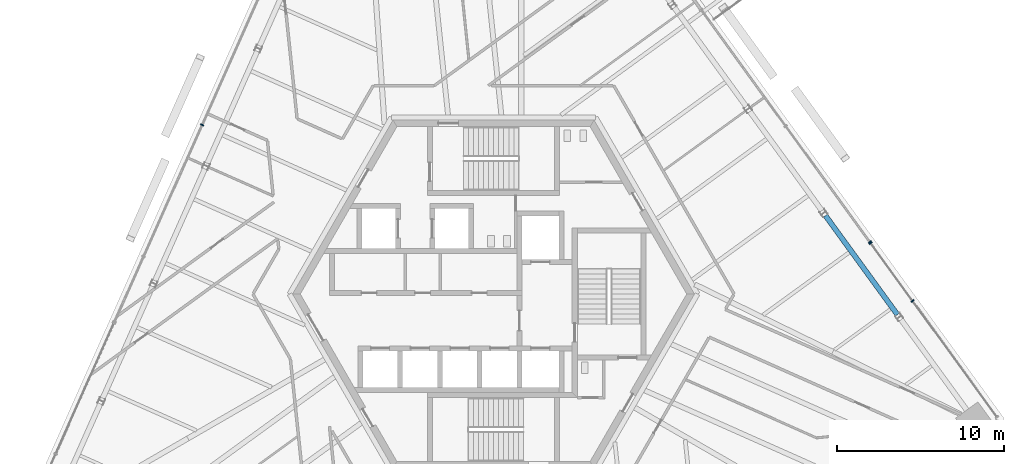
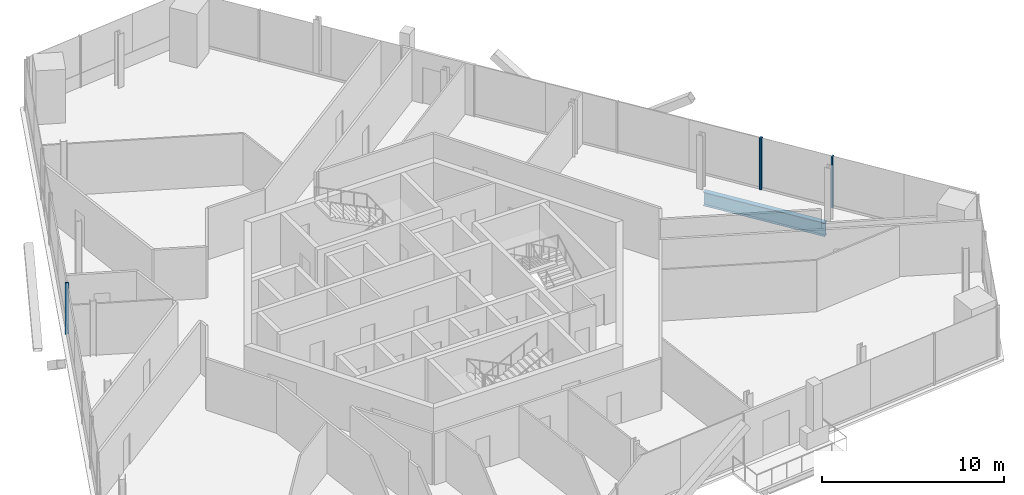
# One storey, part 7 of 18: 4 members, 1 beam, 3 elements without a shape of their own.
"""IFC4 building model written with IfcOpenShell, lengths in metres."""

from ifc_helpers import new_model, si_unit, direction, frame, origin, origin_2d, place, context, subcontext, project, spatial, rectangle, i_section, extrude, source, transform, mapped, material, material_profile, profile_set, type_object, element, aggregate, save


model = new_model("IFC4")

# Units and contexts
model_context = context("Model", 3, precision=1e-05, world=origin(), true_north=direction((0.0, 1.0)))
body_context = subcontext(model_context, "Body", "Model", "MODEL_VIEW")
ifc_project = project(units=[si_unit("LENGTHUNIT", "METRE"), si_unit("AREAUNIT", "SQUARE_METRE"), si_unit("VOLUMEUNIT", "CUBIC_METRE"), si_unit("PLANEANGLEUNIT", "RADIAN"), si_unit("MASSUNIT", "GRAM", prefix="KILO")], contexts=[model_context])

# Site, building, storey
site_placement = place(None, origin())
site = spatial("IfcSite", under=ifc_project, at=site_placement, CompositionType="ELEMENT")
building_placement = place(site_placement, origin())
building = spatial("IfcBuilding", under=site, at=building_placement, Name="Triune Harvest Tower", CompositionType="ELEMENT")
storey_placement = place(building_placement, frame((0.0, 0.0, 237.699951171875)))
storey = spatial("IfcBuildingStorey", under=building, at=storey_placement, Name="L62", CompositionType="ELEMENT", Elevation=237.699951171875)

# Beam
ifc_material_1 = material(Name="Steel ASTM A992 Gr 50", Category="steel")
ifc_material_profile_1 = material_profile(ifc_material_1, i_section(OverallWidth=0.3046875, OverallDepth=0.914306640625, WebThickness=0.0166015625, FlangeThickness=0.02587890625, at=origin_2d()), Name="W36x160")
ifc_profile_set_1 = profile_set([ifc_material_profile_1], Name="Steel ASTM A992 Gr 50")
beam_type = type_object("IfcBeamType", Name="SB-1 Spandrel beam W36x160", PredefinedType="SPANDREL", material=ifc_profile_set_1)
shared_shape_1 = source(origin(), body_context, "Body", "SweptSolid", [
    extrude(i_section(OverallWidth=0.3046875, OverallDepth=0.914306640625, WebThickness=0.0166015625, FlangeThickness=0.02587890625, at=origin_2d()), origin(), (0.0, 0.0, 1.0), 7.31103515625),
])
beam_placement = place(storey_placement, frame((24.119384765625, -1.2333984375, -0.6171875), z_axis=(-0.587786436325, 0.809016134124, 0.0), x_axis=(-0.809016134124, -0.587786436325, 0.0)))
element("IfcBeam", 1, at=beam_placement, inside=storey, type_object=beam_type, Name="beam/L62/SB2", PredefinedType="SPANDREL", context=body_context, shape_type="MappedRepresentation", body=[
    mapped(shared_shape_1, transform((0.0, 0.0, 0.0), scale=1.0)),
])

# Curtain wall, member
ifc_material_2 = material(Name="Aluminium bronze anodised", Category="aluminium")
curtain_wall_type_1 = type_object("IfcCurtainWallType", Name="CW-7 Tower stick curtain wall with insulated spandrel infill", PredefinedType="NOTDEFINED", material=ifc_material_2)
curtain_wall_1_placement = place(storey_placement, origin())
curtain_wall_1 = element("IfcCurtainWall", 2, at=curtain_wall_1_placement, inside=storey, type_object=curtain_wall_type_1, Name="CW-7 B6-F3 L62 run 1001")
ifc_material_3 = material(Name="Aluminium bronze anodised", Category="aluminium")
ifc_material_profile_2 = material_profile(ifc_material_3, rectangle(XDim=0.199951171875, YDim=0.074951171875, at=origin_2d()), Name="MU-1 mullion 75 x 200")
ifc_profile_set_2 = profile_set([ifc_material_profile_2], Name="Aluminium bronze anodised")
member_type_1 = type_object("IfcMemberType", Name="MU-1 mullion 75 x 200", PredefinedType="MULLION", material=ifc_profile_set_2)
shared_shape_2 = source(origin(), body_context, "Body", "SweptSolid", [
    extrude(rectangle(XDim=0.199951171875, YDim=0.074951171875, at=origin_2d()), origin(), (0.0, 0.0, 1.0), 3.43994140625),
])
member_1_placement = place(storey_placement, frame((-17.399658203125, 10.100341796875, 0.0), z_axis=(0.0, 0.0, 1.0), x_axis=(0.913543213981, -0.406741682385, 0.0)))
member_1 = element("IfcMember", 3, at=member_1_placement, type_object=member_type_1, Name="CW-7 mullion B6-F3 1001.3", PredefinedType="MULLION", context=body_context, shape_type="MappedRepresentation", body=[
    mapped(shared_shape_2, transform((0.0, 0.0, 0.0), scale=1.0)),
])
aggregate(curtain_wall_1, [member_1])

# Curtain wall, members
ifc_material_4 = material(Name="Aluminium bronze anodised", Category="aluminium")
curtain_wall_type_2 = type_object("IfcCurtainWallType", Name="CW-6 Balcony window wall", PredefinedType="NOTDEFINED", material=ifc_material_4)
curtain_wall_2_placement = place(storey_placement, origin())
curtain_wall_2 = element("IfcCurtainWall", 4, at=curtain_wall_2_placement, inside=storey, type_object=curtain_wall_type_2, Name="CW-6 B6-F1 L62 run 1")
ifc_material_5 = material(Name="Aluminium bronze anodised", Category="aluminium")
ifc_material_profile_3 = material_profile(ifc_material_5, rectangle(XDim=0.199951171875, YDim=0.074951171875, at=origin_2d()), Name="MU-6 mullion 75 x 200")
ifc_profile_set_3 = profile_set([ifc_material_profile_3], Name="Aluminium bronze anodised")
member_type_2 = type_object("IfcMemberType", Name="MU-6 mullion 75 x 200", PredefinedType="MULLION", material=ifc_profile_set_3)
shared_shape_3 = source(origin(), body_context, "Body", "SweptSolid", [
    extrude(rectangle(XDim=0.199951171875, YDim=0.074951171875, at=origin_2d()), origin(), (0.0, 0.0, 1.0), 3.43994140625),
])
member_2_placement = place(storey_placement, frame((25.025146484375, -0.412353515625, 0.0), z_axis=(0.0, 0.0, 1.0), x_axis=(-0.809015388646, -0.587787462383, 0.0)))
member_2 = element("IfcMember", 5, at=member_2_placement, type_object=member_type_2, Name="CW-6 mullion B6-F1 1.3", PredefinedType="MULLION", context=body_context, shape_type="MappedRepresentation", body=[
    mapped(shared_shape_3, transform((0.0, 0.0, 0.0), scale=1.0)),
])
member_3_placement = place(storey_placement, frame((22.517822265625, 3.0390625, 0.0), z_axis=(0.0, 0.0, 1.0), x_axis=(-0.809015388646, -0.587787462383, 0.0)))
member_3 = element("IfcMember", 6, at=member_3_placement, type_object=member_type_2, Name="CW-6 mullion B6-F1 1.4", PredefinedType="MULLION", context=body_context, shape_type="MappedRepresentation", body=[
    mapped(shared_shape_3, transform((0.0, 0.0, 0.0), scale=1.0)),
])
aggregate(curtain_wall_2, [member_2, member_3])

# Curtain wall, member
ifc_material_6 = material(Name="Aluminium bronze anodised", Category="aluminium")
curtain_wall_type_3 = type_object("IfcCurtainWallType", Name="CW-10 Balcony window wall with insulated spandrel infill", PredefinedType="NOTDEFINED", material=ifc_material_6)
curtain_wall_3_placement = place(storey_placement, origin())
curtain_wall_3 = element("IfcCurtainWall", 7, at=curtain_wall_3_placement, inside=storey, type_object=curtain_wall_type_3, Name="CW-10 B6-F1 L62 run 1001")
member_4_placement = place(storey_placement, frame((22.4736328125, 3.099609375, 0.0), z_axis=(0.0, 0.0, 1.0), x_axis=(-0.809017664961, -0.587784329309, 0.0)))
member_4 = element("IfcMember", 8, at=member_4_placement, type_object=member_type_2, Name="CW-10 mullion B6-F1 1001.1", PredefinedType="MULLION", context=body_context, shape_type="MappedRepresentation", body=[
    mapped(shared_shape_3, transform((0.0, 0.0, 0.0), scale=1.0)),
])
aggregate(curtain_wall_3, [member_4])

save(model, "model.ifc")
